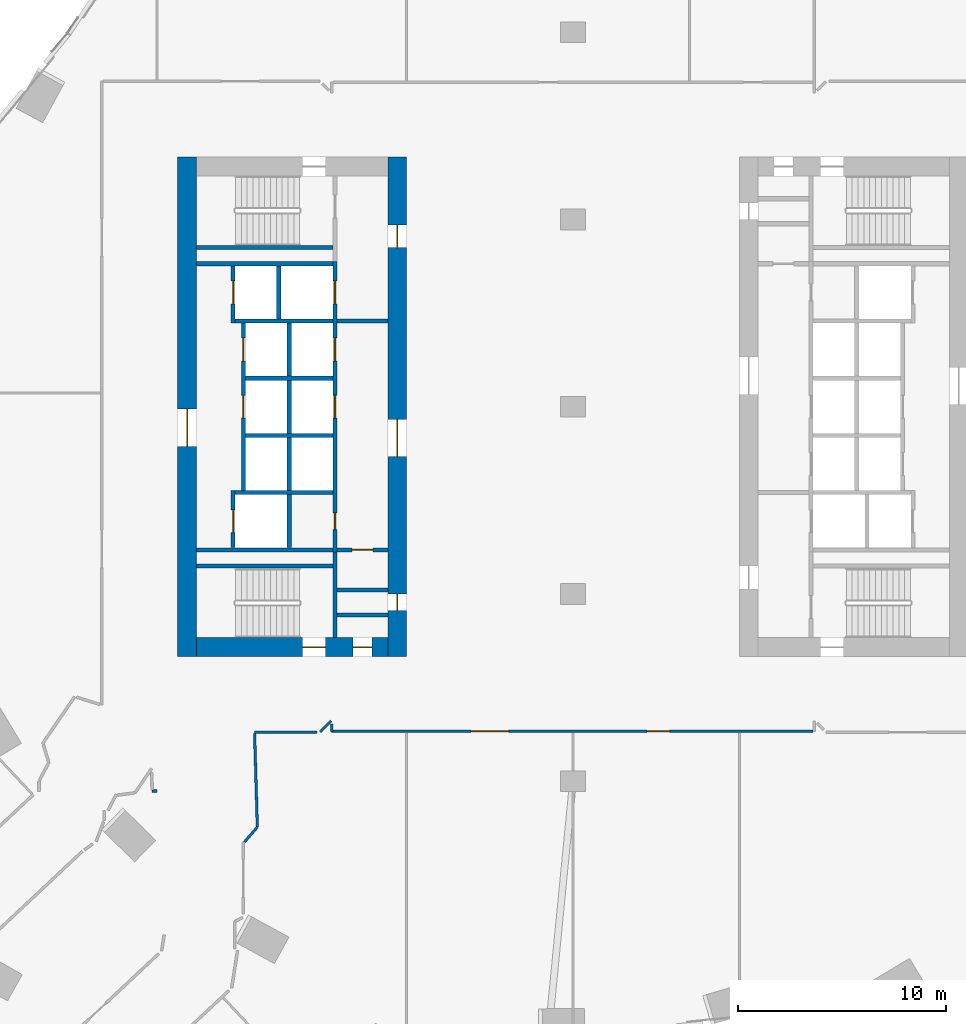
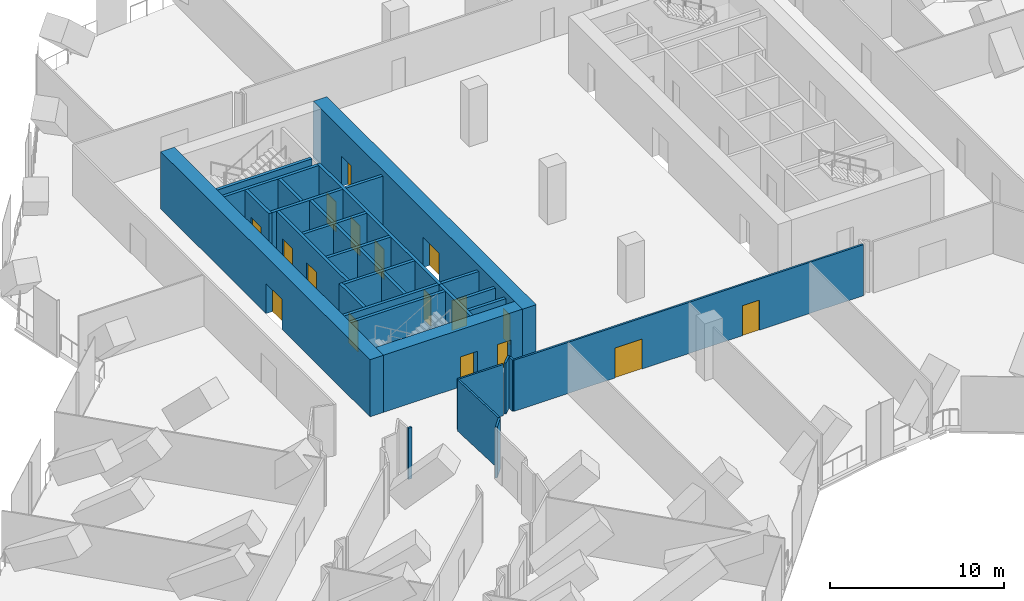
# One storey, part 23 of 31: 32 walls, 17 doors, 17 openings.
"""IFC4 building model written with IfcOpenShell, lengths in metres."""

from ifc_helpers import new_model, si_unit, direction, frame, frame_2d, origin, place, context, subcontext, project, spatial, rectangle, extrude, material, layer, layer_set, type_object, element, fill, save


model = new_model("IFC4")

# Units and contexts
model_context = context("Model", 3, precision=1e-05, world=origin(), true_north=direction((0.0, 1.0)))
body_context = subcontext(model_context, "Body", "Model", "MODEL_VIEW")
ifc_project = project(units=[si_unit("LENGTHUNIT", "METRE"), si_unit("AREAUNIT", "SQUARE_METRE"), si_unit("VOLUMEUNIT", "CUBIC_METRE"), si_unit("PLANEANGLEUNIT", "RADIAN"), si_unit("MASSUNIT", "GRAM", prefix="KILO")], contexts=[model_context])

# Site, building, storey
site_placement = place(None, origin())
site = spatial("IfcSite", under=ifc_project, at=site_placement, CompositionType="ELEMENT")
building_placement = place(site_placement, origin())
building = spatial("IfcBuilding", under=site, at=building_placement, Name="Orlundy Tower", CompositionType="ELEMENT")
storey_placement = place(building_placement, frame((0.0, 0.0, 54.800048828125)))
storey = spatial("IfcBuildingStorey", under=building, at=storey_placement, Name="L12", CompositionType="ELEMENT", Elevation=54.800048828125)

# Wall, openings, doors
ifc_material_1 = material(Name="Concrete C80/95", Category="concrete")
ifc_layer_1 = layer(ifc_material_1, 0.89990234375)
ifc_layer_set_1 = layer_set([ifc_layer_1], Name="CORE WALL 900 C80/95")
wall_type_1 = type_object("IfcWallType", Name="CORE WALL 900 C80/95", PredefinedType="SHEAR", material=ifc_layer_set_1)
wall_1_placement = place(storey_placement, frame((-18.10009765625, -11.550048828125, 0.0), z_axis=(0.0, 0.0, 1.0), x_axis=(1.0, 0.0, 0.0)))
wall_1 = element("IfcWall", 1, at=wall_1_placement, inside=storey, type_object=wall_type_1, Name="Core wall W-S L12", PredefinedType="SHEAR", context=body_context, shape_type="SweptSolid", body=[
    extrude(rectangle(XDim=9.2001953125, YDim=0.89990234375, at=frame_2d((4.60009765625, 0.0))), origin(), (0.0, 0.0, 1.0), 4.0),
])
opening_1_placement = place(wall_1_placement, frame((5.10009765625, 0.0, 0.0)))
opening_1 = element("IfcOpeningElement", 2, at=opening_1_placement, cuts=wall_1, Name="Opening 11013", PredefinedType="OPENING", context=body_context, shape_type="SweptSolid", body=[
    extrude(rectangle(XDim=1.10009765625, YDim=2.10009765625, at=frame_2d((0.550048828125, 1.050048828125))), frame((0.0, 0.4599609375, 0.0), z_axis=(0.0, -1.0, 0.0), x_axis=(1.0, 0.0, 0.0)), (0.0, 0.0, 1.0), 0.919921875),
])
opening_2_placement = place(wall_1_placement, frame((7.530029296875, 0.0, 0.0)))
opening_2 = element("IfcOpeningElement", 3, at=opening_2_placement, cuts=wall_1, Name="Opening 11015", PredefinedType="OPENING", context=body_context, shape_type="SweptSolid", body=[
    extrude(rectangle(XDim=0.89990234375, YDim=2.10009765625, at=frame_2d((0.449951171875, 1.050048828125))), frame((0.0, 0.4599609375, 0.0), z_axis=(0.0, -1.0, 0.0), x_axis=(1.0, 0.0, 0.0)), (0.0, 0.0, 1.0), 0.919921875),
])
ifc_material_2 = material(Name="Timber door set", Category="wood")
door_type_1 = type_object("IfcDoorType", Name="Room Door 900x2100", OperationType="SINGLE_SWING_LEFT", PredefinedType="DOOR", material=ifc_material_2)
door_1_placement = place(opening_2_placement, origin())
door_1 = element("IfcDoor", 4, at=door_1_placement, inside=storey, type_object=door_type_1, Name="Store door 11015", OperationType="SINGLE_SWING_RIGHT", OverallHeight=2.10009765625, OverallWidth=0.89990234375, PredefinedType="DOOR", context=body_context, shape_type="SweptSolid", body=[
    extrude(rectangle(XDim=0.89990234375, YDim=2.10009765625, at=frame_2d((0.449951171875, 1.050048828125))), frame((0.0, 0.02490234375, 0.0), z_axis=(0.0, -1.0, 0.0), x_axis=(1.0, 0.0, 0.0)), (0.0, 0.0, 1.0), 0.050048828125),
])
fill(opening_2, door_1)
ifc_material_3 = material(Name="Steel door set", Category="steel")
door_type_2 = type_object("IfcDoorType", Name="Stair Door 1100x2100", OperationType="SINGLE_SWING_LEFT", PredefinedType="DOOR", material=ifc_material_3)
door_2_placement = place(opening_1_placement, origin())
door_2 = element("IfcDoor", 5, at=door_2_placement, inside=storey, type_object=door_type_2, Name="Stair door 11013", OperationType="SINGLE_SWING_RIGHT", OverallHeight=2.10009765625, OverallWidth=1.10009765625, PredefinedType="DOOR", context=body_context, shape_type="SweptSolid", body=[
    extrude(rectangle(XDim=1.10009765625, YDim=2.10009765625, at=frame_2d((0.550048828125, 1.050048828125))), frame((0.0, 0.02490234375, 0.0), z_axis=(0.0, -1.0, 0.0), x_axis=(1.0, 0.0, 0.0)), (0.0, 0.0, 1.0), 0.050048828125),
])
fill(opening_1, door_2)

# Wall, opening, door
wall_2_placement = place(storey_placement, frame((-18.550048828125, -12.0, 0.0), z_axis=(0.0, 0.0, 1.0), x_axis=(0.0, 1.0, 0.0)))
wall_2 = element("IfcWall", 6, at=wall_2_placement, inside=storey, type_object=wall_type_1, Name="Core wall W-W L12", PredefinedType="SHEAR", context=body_context, shape_type="SweptSolid", body=[
    extrude(rectangle(XDim=24.0, YDim=0.89990234375, at=frame_2d((12.0, 0.0))), origin(), (0.0, 0.0, 1.0), 4.0),
])
opening_3_placement = place(wall_2_placement, frame((10.10009765625, 0.0, 0.0)))
opening_3 = element("IfcOpeningElement", 7, at=opening_3_placement, cuts=wall_2, Name="Opening 11010", PredefinedType="OPENING", context=body_context, shape_type="SweptSolid", body=[
    extrude(rectangle(XDim=1.800048828125, YDim=2.10009765625, at=frame_2d((0.89990234375, 1.050048828125))), frame((0.0, 0.4599609375, 0.0), z_axis=(0.0, -1.0, 0.0), x_axis=(1.0, 0.0, 0.0)), (0.0, 0.0, 1.0), 0.919921875),
])
ifc_material_4 = material(Name="Timber door set", Category="wood")
door_type_3 = type_object("IfcDoorType", Name="Lobby Door 1800x2100", OperationType="DOUBLE_DOOR_DOUBLE_SWING", PredefinedType="DOOR", material=ifc_material_4)
door_3_placement = place(opening_3_placement, origin())
door_3 = element("IfcDoor", 8, at=door_3_placement, inside=storey, type_object=door_type_3, Name="Lift lobby door 11010", OperationType="SINGLE_SWING_LEFT", OverallHeight=2.10009765625, OverallWidth=1.800048828125, PredefinedType="DOOR", context=body_context, shape_type="SweptSolid", body=[
    extrude(rectangle(XDim=1.800048828125, YDim=2.10009765625, at=frame_2d((0.89990234375, 1.050048828125))), frame((0.0, 0.02490234375, 0.0), z_axis=(0.0, -1.0, 0.0), x_axis=(1.0, 0.0, 0.0)), (0.0, 0.0, 1.0), 0.050048828125),
])
fill(opening_3, door_3)

# Wall, openings, doors
wall_3_placement = place(storey_placement, frame((-8.449951171875, -12.0, 0.0), z_axis=(0.0, 0.0, 1.0), x_axis=(0.0, 1.0, 0.0)))
wall_3 = element("IfcWall", 9, at=wall_3_placement, inside=storey, type_object=wall_type_1, Name="Core wall W-E L12", PredefinedType="SHEAR", context=body_context, shape_type="SweptSolid", body=[
    extrude(rectangle(XDim=24.0, YDim=0.89990234375, at=frame_2d((12.0, 0.0))), origin(), (0.0, 0.0, 1.0), 4.0),
])
opening_4_placement = place(wall_3_placement, frame((9.60009765625, 0.0, 0.0)))
opening_4 = element("IfcOpeningElement", 10, at=opening_4_placement, cuts=wall_3, Name="Opening 11009", PredefinedType="OPENING", context=body_context, shape_type="SweptSolid", body=[
    extrude(rectangle(XDim=1.800048828125, YDim=2.10009765625, at=frame_2d((0.89990234375, 1.050048828125))), frame((0.0, 0.4599609375, 0.0), z_axis=(0.0, -1.0, 0.0), x_axis=(1.0, 0.0, 0.0)), (0.0, 0.0, 1.0), 0.919921875),
])
opening_5_placement = place(wall_3_placement, frame((19.64990234375, 0.0, 0.0)))
opening_5 = element("IfcOpeningElement", 11, at=opening_5_placement, cuts=wall_3, Name="Opening 11011", PredefinedType="OPENING", context=body_context, shape_type="SweptSolid", body=[
    extrude(rectangle(XDim=1.10009765625, YDim=2.10009765625, at=frame_2d((0.550048828125, 1.050048828125))), frame((0.0, 0.4599609375, 0.0), z_axis=(0.0, -1.0, 0.0), x_axis=(1.0, 0.0, 0.0)), (0.0, 0.0, 1.0), 0.919921875),
])
opening_6_placement = place(wall_3_placement, frame((2.199951171875, 0.0, 0.0)))
opening_6 = element("IfcOpeningElement", 12, at=opening_6_placement, cuts=wall_3, Name="Opening 11016", PredefinedType="OPENING", context=body_context, shape_type="SweptSolid", body=[
    extrude(rectangle(XDim=0.800048828125, YDim=2.10009765625, at=frame_2d((0.39990234375, 1.050048828125))), frame((0.0, 0.4599609375, 0.0), z_axis=(0.0, -1.0, 0.0), x_axis=(1.0, 0.0, 0.0)), (0.0, 0.0, 1.0), 0.919921875),
])
ifc_material_5 = material(Name="Steel door set", Category="steel")
door_type_4 = type_object("IfcDoorType", Name="Fire-fighting Lobby Door 1100x2100", OperationType="SINGLE_SWING_LEFT", PredefinedType="DOOR", material=ifc_material_5)
door_4_placement = place(opening_5_placement, origin())
door_4 = element("IfcDoor", 13, at=door_4_placement, inside=storey, type_object=door_type_4, Name="Fire-fighting lobby door 11011", OperationType="SINGLE_SWING_RIGHT", OverallHeight=2.10009765625, OverallWidth=1.10009765625, PredefinedType="DOOR", context=body_context, shape_type="SweptSolid", body=[
    extrude(rectangle(XDim=1.10009765625, YDim=2.10009765625, at=frame_2d((0.550048828125, 1.050048828125))), frame((0.0, 0.02490234375, 0.0), z_axis=(0.0, -1.0, 0.0), x_axis=(1.0, 0.0, 0.0)), (0.0, 0.0, 1.0), 0.050048828125),
])
fill(opening_5, door_4)
door_5_placement = place(opening_4_placement, origin())
door_5 = element("IfcDoor", 14, at=door_5_placement, inside=storey, type_object=door_type_3, Name="Lift lobby door 11009", OperationType="SINGLE_SWING_LEFT", OverallHeight=2.10009765625, OverallWidth=1.800048828125, PredefinedType="DOOR", context=body_context, shape_type="SweptSolid", body=[
    extrude(rectangle(XDim=1.800048828125, YDim=2.10009765625, at=frame_2d((0.89990234375, 1.050048828125))), frame((0.0, 0.02490234375, 0.0), z_axis=(0.0, -1.0, 0.0), x_axis=(1.0, 0.0, 0.0)), (0.0, 0.0, 1.0), 0.050048828125),
])
fill(opening_4, door_5)
ifc_material_6 = material(Name="Timber door set", Category="wood")
door_type_5 = type_object("IfcDoorType", Name="Riser Door 800x2100", OperationType="SINGLE_SWING_LEFT", PredefinedType="DOOR", material=ifc_material_6)
door_6_placement = place(opening_6_placement, origin())
door_6 = element("IfcDoor", 15, at=door_6_placement, inside=storey, type_object=door_type_5, Name="Door 11016", OperationType="SINGLE_SWING_LEFT", OverallHeight=2.10009765625, OverallWidth=0.800048828125, PredefinedType="DOOR", context=body_context, shape_type="SweptSolid", body=[
    extrude(rectangle(XDim=0.800048828125, YDim=2.10009765625, at=frame_2d((0.39990234375, 1.050048828125))), frame((0.0, 0.02490234375, 0.0), z_axis=(0.0, -1.0, 0.0), x_axis=(1.0, 0.0, 0.0)), (0.0, 0.0, 1.0), 0.050048828125),
])
fill(opening_6, door_6)

# Walls
ifc_material_7 = material(Name="Gypsum board partition, double layer")
ifc_layer_2 = layer(ifc_material_7, 0.125)
ifc_layer_set_2 = layer_set([ifc_layer_2], Name="Floor partition 125")
wall_type_2 = type_object("IfcWallType", Name="Floor partition 125", PredefinedType="PARTITIONING", material=ifc_layer_set_2)
wall_4_placement = place(storey_placement, frame((-11.60107421875, -15.241943359375, 0.0), z_axis=(0.0, 0.0, 1.0), x_axis=(0.002726642898, -0.999996282702, 0.0)))
element("IfcWall", 16, at=wall_4_placement, inside=storey, type_object=wall_type_2, Name="wall-int-L12-001", PredefinedType="PARTITIONING", context=body_context, shape_type="SweptSolid", body=[
    extrude(rectangle(XDim=0.358154296875, YDim=0.125, at=frame_2d((0.17919921875, 0.0))), origin(), (0.0, 0.0, 1.0), 3.579833984375),
])
wall_5_placement = place(storey_placement, frame((-15.302978515625, -15.712890625, 0.0), z_axis=(0.0, 0.0, 1.0), x_axis=(0.029132320279, -0.999575563885, 0.0)))
element("IfcWall", 17, at=wall_5_placement, inside=storey, type_object=wall_type_2, Name="wall-int-L12-003", PredefinedType="PARTITIONING", context=body_context, shape_type="SweptSolid", body=[
    extrude(rectangle(XDim=4.491943359375, YDim=0.125, at=frame_2d((2.24609375, 0.0))), origin(), (0.0, 0.0, 1.0), 3.579833984375),
])
wall_6_placement = place(storey_placement, frame((-15.304931640625, -15.65087890625, 0.0), z_axis=(0.0, 0.0, 1.0), x_axis=(1.0, 0.0, 0.0)))
element("IfcWall", 18, at=wall_6_placement, inside=storey, type_object=wall_type_2, Name="wall-int-L12-070", PredefinedType="PARTITIONING", context=body_context, shape_type="SweptSolid", body=[
    extrude(rectangle(XDim=2.993896484375, YDim=0.125, at=frame_2d((1.4970703125, 0.0))), origin(), (0.0, 0.0, 1.0), 3.579833984375),
])

# Wall, openings, doors
wall_7_placement = place(storey_placement, frame((11.5390625, -15.60009765625, 0.0), z_axis=(0.0, 0.0, 1.0), x_axis=(-1.0, 0.0, 0.0)))
wall_7 = element("IfcWall", 19, at=wall_7_placement, inside=storey, type_object=wall_type_2, Name="wall-int-L12-072", PredefinedType="PARTITIONING", context=body_context, shape_type="SweptSolid", body=[
    extrude(rectangle(XDim=23.13916015625, YDim=0.125, at=frame_2d((11.569580078125, 0.0))), origin(), (0.0, 0.0, 1.0), 3.579833984375),
])
opening_7_placement = place(wall_7_placement, frame((14.638427734375, 0.0, 0.0)))
opening_7 = element("IfcOpeningElement", 20, at=opening_7_placement, cuts=wall_7, Name="Opening 11119", PredefinedType="OPENING", context=body_context, shape_type="SweptSolid", body=[
    extrude(rectangle(XDim=1.800048828125, YDim=2.10009765625, at=frame_2d((0.89990234375, 1.050048828125))), frame((0.0, 0.072509765625, 0.0), z_axis=(0.0, -1.0, 0.0), x_axis=(1.0, 0.0, 0.0)), (0.0, 0.0, 1.0), 0.14501953125),
])
opening_8_placement = place(wall_7_placement, frame((6.888427734375, 0.0, 0.0)))
opening_8 = element("IfcOpeningElement", 21, at=opening_8_placement, cuts=wall_7, Name="Opening 11120", PredefinedType="OPENING", context=body_context, shape_type="SweptSolid", body=[
    extrude(rectangle(XDim=1.10009765625, YDim=2.10009765625, at=frame_2d((0.550048828125, 1.050048828125))), frame((0.0, 0.072509765625, 0.0), z_axis=(0.0, -1.0, 0.0), x_axis=(1.0, 0.0, 0.0)), (0.0, 0.0, 1.0), 0.14501953125),
])
ifc_material_8 = material(Name="Timber door leaf", Category="wood")
door_type_6 = type_object("IfcDoorType", Name="Floor door double 1800 FD30S", OperationType="NOTDEFINED", PredefinedType="DOOR", material=ifc_material_8)
door_7_placement = place(opening_7_placement, origin())
door_7 = element("IfcDoor", 22, at=door_7_placement, inside=storey, type_object=door_type_6, Name="Door 11119", OperationType="DOUBLE_DOOR_SINGLE_SWING", OverallHeight=2.10009765625, OverallWidth=1.800048828125, PredefinedType="DOOR", context=body_context, shape_type="SweptSolid", body=[
    extrude(rectangle(XDim=1.800048828125, YDim=2.10009765625, at=frame_2d((0.89990234375, 1.050048828125))), frame((0.0, 0.02490234375, 0.0), z_axis=(0.0, -1.0, 0.0), x_axis=(1.0, 0.0, 0.0)), (0.0, 0.0, 1.0), 0.050048828125),
])
fill(opening_7, door_7)
ifc_material_9 = material(Name="Timber door leaf", Category="wood")
door_type_7 = type_object("IfcDoorType", Name="Floor door xwide 1100 FD30S", OperationType="NOTDEFINED", PredefinedType="DOOR", material=ifc_material_9)
door_8_placement = place(opening_8_placement, origin())
door_8 = element("IfcDoor", 23, at=door_8_placement, inside=storey, type_object=door_type_7, Name="Door 11120", OperationType="SINGLE_SWING_LEFT", OverallHeight=2.10009765625, OverallWidth=1.10009765625, PredefinedType="DOOR", context=body_context, shape_type="SweptSolid", body=[
    extrude(rectangle(XDim=1.10009765625, YDim=2.10009765625, at=frame_2d((0.550048828125, 1.050048828125))), frame((0.0, 0.02490234375, 0.0), z_axis=(0.0, -1.0, 0.0), x_axis=(1.0, 0.0, 0.0)), (0.0, 0.0, 1.0), 0.050048828125),
])
fill(opening_8, door_8)

# Walls
wall_8_placement = place(storey_placement, frame((-20.22509765625, -18.470947265625, 0.0), z_axis=(0.0, 0.0, 1.0), x_axis=(0.999661382022, 0.026021554413, 0.0)))
element("IfcWall", 24, at=wall_8_placement, inside=storey, type_object=wall_type_2, Name="wall-int-L12-081", PredefinedType="PARTITIONING", context=body_context, shape_type="SweptSolid", body=[
    extrude(rectangle(XDim=0.22509765625, YDim=0.125, at=frame_2d((0.112548828125, 0.0))), origin(), (0.0, 0.0, 1.0), 3.579833984375),
])
wall_9_placement = place(storey_placement, frame((-15.7890625, -20.9189453125, 0.0), z_axis=(0.0, 0.0, 1.0), x_axis=(0.652724991611, 0.757594934861, 0.0)))
element("IfcWall", 25, at=wall_9_placement, inside=storey, type_object=wall_type_2, Name="wall-int-L12-082", PredefinedType="PARTITIONING", context=body_context, shape_type="SweptSolid", body=[
    extrude(rectangle(XDim=0.945068359375, YDim=0.125, at=frame_2d((0.47265625, 0.0))), origin(), (0.0, 0.0, 1.0), 3.579833984375),
])
wall_10_placement = place(storey_placement, frame((-12.153076171875, -15.631103515625, 0.0), z_axis=(0.0, 0.0, 1.0), x_axis=(0.707106781187, 0.707106781187, 0.0)))
element("IfcWall", 26, at=wall_10_placement, inside=storey, type_object=wall_type_2, Name="wall-int-L12-112", PredefinedType="PARTITIONING", context=body_context, shape_type="SweptSolid", body=[
    extrude(rectangle(XDim=0.7509765625, YDim=0.125, at=frame_2d((0.37548828125, 0.0))), origin(), (0.0, 0.0, 1.0), 3.579833984375),
])
ifc_material_10 = material(Name="Concrete C40/50", Category="concrete")
ifc_layer_3 = layer(ifc_material_10, 0.199951171875)
ifc_layer_set_3 = layer_set([ifc_layer_3], Name="Load-bearing Shaft Wall 200")
wall_type_3 = type_object("IfcWallType", Name="Load-bearing Shaft Wall 200", PredefinedType="SOLIDWALL", material=ifc_layer_set_3)
wall_11_placement = place(storey_placement, frame((-11.5400390625, 7.64990234375, 0.0), z_axis=(0.0, 0.0, 1.0), x_axis=(-1.0, 0.0, 0.0)))
element("IfcWall", 27, at=wall_11_placement, inside=storey, type_object=wall_type_3, Name="Shaft wall W11-stair-side-n", PredefinedType="SOLIDWALL", context=body_context, shape_type="SweptSolid", body=[
    extrude(rectangle(XDim=6.56005859375, YDim=0.199951171875, at=frame_2d((3.280029296875, 0.0))), origin(), (0.0, 0.0, 1.0), 3.58984375),
])
wall_12_placement = place(storey_placement, frame((-11.43994140625, -11.10009765625, 0.0), z_axis=(0.0, 0.0, 1.0), x_axis=(0.0, 1.0, 0.0)))
element("IfcWall", 28, at=wall_12_placement, inside=storey, type_object=wall_type_3, Name="Shaft wall W11-stair-end-s", PredefinedType="SOLIDWALL", context=body_context, shape_type="SweptSolid", body=[
    extrude(rectangle(XDim=4.125, YDim=0.199951171875, at=frame_2d((2.0625, 0.0))), origin(), (0.0, 0.0, 1.0), 3.58984375),
])
wall_13_placement = place(storey_placement, frame((-11.5400390625, -7.64990234375, 0.0), z_axis=(0.0, 0.0, 1.0), x_axis=(-1.0, 0.0, 0.0)))
element("IfcWall", 29, at=wall_13_placement, inside=storey, type_object=wall_type_3, Name="Shaft wall W11-stair-side-s", PredefinedType="SOLIDWALL", context=body_context, shape_type="SweptSolid", body=[
    extrude(rectangle(XDim=6.56005859375, YDim=0.199951171875, at=frame_2d((3.280029296875, 0.0))), origin(), (0.0, 0.0, 1.0), 3.58984375),
])
ifc_material_11 = material(Name="Gypsum board partition on steel studs", Category="steel")
ifc_layer_4 = layer(ifc_material_11, 0.199951171875)
ifc_layer_set_4 = layer_set([ifc_layer_4], Name="Partition 200")
wall_type_4 = type_object("IfcWallType", Name="Partition 200", PredefinedType="PARTITIONING", material=ifc_layer_set_4)
wall_14_placement = place(storey_placement, frame((-8.89990234375, 4.125, 0.0), z_axis=(0.0, 0.0, 1.0), x_axis=(-1.0, 0.0, 0.0)))
element("IfcWall", 30, at=wall_14_placement, inside=storey, type_object=wall_type_4, Name="Partition wall W11-lobby-n", PredefinedType="PARTITIONING", context=body_context, shape_type="SweptSolid", body=[
    extrude(rectangle(XDim=2.440185546875, YDim=0.199951171875, at=frame_2d((1.22021484375, 0.0))), origin(), (0.0, 0.0, 1.0), 3.58984375),
])

# Wall, opening, door
wall_15_placement = place(storey_placement, frame((-8.89990234375, -6.875, 0.0), z_axis=(0.0, 0.0, 1.0), x_axis=(-1.0, 0.0, 0.0)))
wall_15 = element("IfcWall", 31, at=wall_15_placement, inside=storey, type_object=wall_type_4, Name="Partition wall W11-end-s", PredefinedType="PARTITIONING", context=body_context, shape_type="SweptSolid", body=[
    extrude(rectangle(XDim=2.440185546875, YDim=0.199951171875, at=frame_2d((1.22021484375, 0.0))), origin(), (0.0, 0.0, 1.0), 3.58984375),
])
opening_9_placement = place(wall_15_placement, frame((0.719970703125, 0.0, 0.0)))
opening_9 = element("IfcOpeningElement", 32, at=opening_9_placement, cuts=wall_15, Name="Opening 11017", PredefinedType="OPENING", context=body_context, shape_type="SweptSolid", body=[
    extrude(rectangle(XDim=1.0, YDim=2.10009765625, at=frame_2d((0.5, 1.050048828125))), frame((0.0, 0.110107421875, 0.0), z_axis=(0.0, -1.0, 0.0), x_axis=(1.0, 0.0, 0.0)), (0.0, 0.0, 1.0), 0.22021484375),
])
ifc_material_12 = material(Name="Timber door set", Category="wood")
door_type_8 = type_object("IfcDoorType", Name="Accessible Door 1000x2100", OperationType="SINGLE_SWING_LEFT", PredefinedType="DOOR", material=ifc_material_12)
door_9_placement = place(opening_9_placement, origin())
door_9 = element("IfcDoor", 33, at=door_9_placement, inside=storey, type_object=door_type_8, Name="Accessible WC door 11017", OperationType="SINGLE_SWING_RIGHT", OverallHeight=2.10009765625, OverallWidth=1.0, PredefinedType="DOOR", context=body_context, shape_type="SweptSolid", body=[
    extrude(rectangle(XDim=1.0, YDim=2.10009765625, at=frame_2d((0.5, 1.050048828125))), frame((0.0, 0.02490234375, 0.0), z_axis=(0.0, -1.0, 0.0), x_axis=(1.0, 0.0, 0.0)), (0.0, 0.0, 1.0), 0.050048828125),
])
fill(opening_9, door_9)

# Walls
for number, where, z_axis, x_axis, name in (
    (34, (-8.89990234375, -10.0, 0.0), (0.0, 0.0, 1.0), (-1.0, 0.0, 0.0), "Partition wall W11-room-s0"),
    (35, (-8.89990234375, -8.800048828125, 0.0), (0.0, 0.0, 1.0), (-1.0, 0.0, 0.0), "Partition wall W11-room-s1"),
):
    element("IfcWall", number, at=place(storey_placement, frame(where, z_axis=z_axis, x_axis=x_axis)), inside=storey, type_object=wall_type_4, Name=name, PredefinedType="PARTITIONING", context=body_context, shape_type="SweptSolid", body=[
        extrude(rectangle(XDim=2.440185546875, YDim=0.199951171875, at=frame_2d((1.22021484375, 0.0))), origin(), (0.0, 0.0, 1.0), 3.58984375),
    ])
ifc_material_13 = material(Name="Fire-rated blockwork shaft wall", Category="masonry")
ifc_layer_5 = layer(ifc_material_13, 0.199951171875)
ifc_layer_set_5 = layer_set([ifc_layer_5], Name="Shaft Wall 200")
wall_type_5 = type_object("IfcWallType", Name="Shaft Wall 200", PredefinedType="SOLIDWALL", material=ifc_layer_set_5)
for number, where, z_axis, x_axis, name in (
    (36, (-11.5400390625, 6.875, 0.0), (0.0, 0.0, 1.0), (-1.0, 0.0, 0.0), "Shaft wall W11-zone-n"),
    (37, (-11.5400390625, -6.875, 0.0), (0.0, 0.0, 1.0), (-1.0, 0.0, 0.0), "Shaft wall W11-zone-s"),
):
    element("IfcWall", number, at=place(storey_placement, frame(where, z_axis=z_axis, x_axis=x_axis)), inside=storey, type_object=wall_type_5, Name=name, PredefinedType="SOLIDWALL", context=body_context, shape_type="SweptSolid", body=[
        extrude(rectangle(XDim=6.56005859375, YDim=0.199951171875, at=frame_2d((3.280029296875, 0.0))), origin(), (0.0, 0.0, 1.0), 3.58984375),
    ])
wall_16_placement = place(storey_placement, frame((-11.5400390625, -4.125, 0.0), z_axis=(0.0, 0.0, 1.0), x_axis=(-1.0, 0.0, 0.0)))
element("IfcWall", 38, at=wall_16_placement, inside=storey, type_object=wall_type_5, Name="Shaft wall W11-cross-4.125", PredefinedType="SOLIDWALL", context=body_context, shape_type="SweptSolid", body=[
    extrude(rectangle(XDim=4.699951171875, YDim=0.199951171875, at=frame_2d((2.35009765625, 0.0))), origin(), (0.0, 0.0, 1.0), 3.58984375),
])
for number, where, z_axis, x_axis, name in (
    (39, (-11.5400390625, -1.375, 0.0), (0.0, 0.0, 1.0), (-1.0, 0.0, 0.0), "Shaft wall W11-cross-1.375"),
    (40, (-11.5400390625, 1.375, 0.0), (0.0, 0.0, 1.0), (-1.0, 0.0, 0.0), "Shaft wall W11-cross+1.375"),
):
    element("IfcWall", number, at=place(storey_placement, frame(where, z_axis=z_axis, x_axis=x_axis)), inside=storey, type_object=wall_type_5, Name=name, PredefinedType="SOLIDWALL", context=body_context, shape_type="SweptSolid", body=[
        extrude(rectangle(XDim=4.199951171875, YDim=0.199951171875, at=frame_2d((2.10009765625, 0.0))), origin(), (0.0, 0.0, 1.0), 3.58984375),
    ])
wall_17_placement = place(storey_placement, frame((-11.5400390625, 4.125, 0.0), z_axis=(0.0, 0.0, 1.0), x_axis=(-1.0, 0.0, 0.0)))
element("IfcWall", 41, at=wall_17_placement, inside=storey, type_object=wall_type_5, Name="Shaft wall W11-cross+4.125", PredefinedType="SOLIDWALL", context=body_context, shape_type="SweptSolid", body=[
    extrude(rectangle(XDim=4.699951171875, YDim=0.199951171875, at=frame_2d((2.35009765625, 0.0))), origin(), (0.0, 0.0, 1.0), 3.58984375),
])

# Wall, openings, doors
wall_18_placement = place(storey_placement, frame((-11.43994140625, -6.97509765625, 0.0), z_axis=(0.0, 0.0, 1.0), x_axis=(0.0, 1.0, 0.0)))
wall_18 = element("IfcWall", 42, at=wall_18_placement, inside=storey, type_object=wall_type_5, Name="Shaft wall W11-front-h", PredefinedType="SOLIDWALL", context=body_context, shape_type="SweptSolid", body=[
    extrude(rectangle(XDim=13.9501953125, YDim=0.199951171875, at=frame_2d((6.97509765625, 0.0))), origin(), (0.0, 0.0, 1.0), 3.58984375),
])
opening_10_placement = place(wall_18_placement, frame((6.425048828125, 0.0, 0.0)))
opening_10 = element("IfcOpeningElement", 43, at=opening_10_placement, cuts=wall_18, Name="Opening 11002", PredefinedType="OPENING", context=body_context, shape_type="SweptSolid", body=[
    extrude(rectangle(XDim=1.10009765625, YDim=2.10009765625, at=frame_2d((0.550048828125, 1.050048828125))), frame((0.0, 0.110107421875, 0.0), z_axis=(0.0, -1.0, 0.0), x_axis=(1.0, 0.0, 0.0)), (0.0, 0.0, 1.0), 0.22021484375),
])
opening_11_placement = place(wall_18_placement, frame((9.175048828125, 0.0, 0.0)))
opening_11 = element("IfcOpeningElement", 44, at=opening_11_placement, cuts=wall_18, Name="Opening 11004", PredefinedType="OPENING", context=body_context, shape_type="SweptSolid", body=[
    extrude(rectangle(XDim=1.10009765625, YDim=2.10009765625, at=frame_2d((0.550048828125, 1.050048828125))), frame((0.0, 0.110107421875, 0.0), z_axis=(0.0, -1.0, 0.0), x_axis=(1.0, 0.0, 0.0)), (0.0, 0.0, 1.0), 0.22021484375),
])
opening_12_placement = place(wall_18_placement, frame((11.925048828125, 0.0, 0.0)))
opening_12 = element("IfcOpeningElement", 45, at=opening_12_placement, cuts=wall_18, Name="Opening 11006", PredefinedType="OPENING", context=body_context, shape_type="SweptSolid", body=[
    extrude(rectangle(XDim=1.10009765625, YDim=2.10009765625, at=frame_2d((0.550048828125, 1.050048828125))), frame((0.0, 0.110107421875, 0.0), z_axis=(0.0, -1.0, 0.0), x_axis=(1.0, 0.0, 0.0)), (0.0, 0.0, 1.0), 0.22021484375),
])
opening_13_placement = place(wall_18_placement, frame((1.074951171875, 0.0, 0.0)))
opening_13 = element("IfcOpeningElement", 46, at=opening_13_placement, cuts=wall_18, Name="Opening 11008", PredefinedType="OPENING", context=body_context, shape_type="SweptSolid", body=[
    extrude(rectangle(XDim=0.800048828125, YDim=2.10009765625, at=frame_2d((0.39990234375, 1.050048828125))), frame((0.0, 0.110107421875, 0.0), z_axis=(0.0, -1.0, 0.0), x_axis=(1.0, 0.0, 0.0)), (0.0, 0.0, 1.0), 0.22021484375),
])
ifc_material_14 = material(Name="Steel door set", Category="steel")
door_type_9 = type_object("IfcDoorType", Name="Landing Door 1100x2100", OperationType="DOUBLE_DOOR_SLIDING", PredefinedType="DOOR", material=ifc_material_14)
door_10_placement = place(opening_10_placement, origin())
door_10 = element("IfcDoor", 47, at=door_10_placement, inside=storey, type_object=door_type_9, Name="Lift landing door LP-05 11002", OperationType="DOUBLE_DOOR_SLIDING", OverallHeight=2.10009765625, OverallWidth=1.10009765625, PredefinedType="DOOR", context=body_context, shape_type="SweptSolid", body=[
    extrude(rectangle(XDim=1.10009765625, YDim=2.10009765625, at=frame_2d((0.550048828125, 1.050048828125))), frame((0.0, 0.02490234375, 0.0), z_axis=(0.0, -1.0, 0.0), x_axis=(1.0, 0.0, 0.0)), (0.0, 0.0, 1.0), 0.050048828125),
])
fill(opening_10, door_10)
door_11_placement = place(opening_11_placement, origin())
door_11 = element("IfcDoor", 48, at=door_11_placement, inside=storey, type_object=door_type_9, Name="Lift landing door LP-02 11004", OperationType="DOUBLE_DOOR_SLIDING", OverallHeight=2.10009765625, OverallWidth=1.10009765625, PredefinedType="DOOR", context=body_context, shape_type="SweptSolid", body=[
    extrude(rectangle(XDim=1.10009765625, YDim=2.10009765625, at=frame_2d((0.550048828125, 1.050048828125))), frame((0.0, 0.02490234375, 0.0), z_axis=(0.0, -1.0, 0.0), x_axis=(1.0, 0.0, 0.0)), (0.0, 0.0, 1.0), 0.050048828125),
])
fill(opening_11, door_11)
door_12_placement = place(opening_12_placement, origin())
door_12 = element("IfcDoor", 49, at=door_12_placement, inside=storey, type_object=door_type_9, Name="Lift landing door FL1 11006", OperationType="DOUBLE_DOOR_SLIDING", OverallHeight=2.10009765625, OverallWidth=1.10009765625, PredefinedType="DOOR", context=body_context, shape_type="SweptSolid", body=[
    extrude(rectangle(XDim=1.10009765625, YDim=2.10009765625, at=frame_2d((0.550048828125, 1.050048828125))), frame((0.0, 0.02490234375, 0.0), z_axis=(0.0, -1.0, 0.0), x_axis=(1.0, 0.0, 0.0)), (0.0, 0.0, 1.0), 0.050048828125),
])
fill(opening_12, door_12)
door_13_placement = place(opening_13_placement, origin())
door_13 = element("IfcDoor", 50, at=door_13_placement, inside=storey, type_object=door_type_5, Name="Telecom Room door 11008", OperationType="SINGLE_SWING_LEFT", OverallHeight=2.10009765625, OverallWidth=0.800048828125, PredefinedType="DOOR", context=body_context, shape_type="SweptSolid", body=[
    extrude(rectangle(XDim=0.800048828125, YDim=2.10009765625, at=frame_2d((0.39990234375, 1.050048828125))), frame((0.0, 0.02490234375, 0.0), z_axis=(0.0, -1.0, 0.0), x_axis=(1.0, 0.0, 0.0)), (0.0, 0.0, 1.0), 0.050048828125),
])
fill(opening_13, door_13)

# Walls
for number, where, z_axis, x_axis, name in (
    (51, (-13.639892578125, -6.77490234375, 0.0), (0.0, 0.0, 1.0), (0.0, 1.0, 0.0), "Shaft wall W11-mid-a"),
    (52, (-13.639892578125, -4.02490234375, 0.0), (0.0, 0.0, 1.0), (0.0, 1.0, 0.0), "Shaft wall W11-mid-a.1"),
    (53, (-13.639892578125, -1.27490234375, 0.0), (0.0, 0.0, 1.0), (0.0, 1.0, 0.0), "Shaft wall W11-mid-a.2"),
    (54, (-13.639892578125, 1.47509765625, 0.0), (0.0, 0.0, 1.0), (0.0, 1.0, 0.0), "Shaft wall W11-mid-a.3"),
    (55, (-14.139892578125, 4.22509765625, 0.0), (0.0, 0.0, 1.0), (0.0, 1.0, 0.0), "Shaft wall W11-mid-b"),
):
    element("IfcWall", number, at=place(storey_placement, frame(where, z_axis=z_axis, x_axis=x_axis)), inside=storey, type_object=wall_type_5, Name=name, PredefinedType="SOLIDWALL", context=body_context, shape_type="SweptSolid", body=[
        extrude(rectangle(XDim=2.5498046875, YDim=0.199951171875, at=frame_2d((1.27490234375, 0.0))), origin(), (0.0, 0.0, 1.0), 3.58984375),
    ])

# Wall, opening, door
wall_19_placement = place(storey_placement, frame((-16.340087890625, -6.77490234375, 0.0), z_axis=(0.0, 0.0, 1.0), x_axis=(0.0, 1.0, 0.0)))
wall_19 = element("IfcWall", 56, at=wall_19_placement, inside=storey, type_object=wall_type_5, Name="Shaft wall W11-front-o-a", PredefinedType="SOLIDWALL", context=body_context, shape_type="SweptSolid", body=[
    extrude(rectangle(XDim=2.75, YDim=0.199951171875, at=frame_2d((1.375, 0.0))), origin(), (0.0, 0.0, 1.0), 3.58984375),
])
opening_14_placement = place(wall_19_placement, frame((0.72509765625, 0.0, 0.0)))
opening_14 = element("IfcOpeningElement", 57, at=opening_14_placement, cuts=wall_19, Name="Opening 11001", PredefinedType="OPENING", context=body_context, shape_type="SweptSolid", body=[
    extrude(rectangle(XDim=1.10009765625, YDim=2.10009765625, at=frame_2d((0.550048828125, 1.050048828125))), frame((0.0, 0.110107421875, 0.0), z_axis=(0.0, -1.0, 0.0), x_axis=(1.0, 0.0, 0.0)), (0.0, 0.0, 1.0), 0.22021484375),
])
door_14_placement = place(opening_14_placement, origin())
door_14 = element("IfcDoor", 58, at=door_14_placement, inside=storey, type_object=door_type_9, Name="Lift landing door LV-01 11001", OperationType="DOUBLE_DOOR_SLIDING", OverallHeight=2.10009765625, OverallWidth=1.10009765625, PredefinedType="DOOR", context=body_context, shape_type="SweptSolid", body=[
    extrude(rectangle(XDim=1.10009765625, YDim=2.10009765625, at=frame_2d((0.550048828125, 1.050048828125))), frame((0.0, 0.02490234375, 0.0), z_axis=(0.0, -1.0, 0.0), x_axis=(1.0, 0.0, 0.0)), (0.0, 0.0, 1.0), 0.050048828125),
])
fill(opening_14, door_14)

# Wall, openings, doors
wall_20_placement = place(storey_placement, frame((-15.840087890625, -4.02490234375, 0.0), z_axis=(0.0, 0.0, 1.0), x_axis=(0.0, 1.0, 0.0)))
wall_20 = element("IfcWall", 59, at=wall_20_placement, inside=storey, type_object=wall_type_5, Name="Shaft wall W11-front-o-b", PredefinedType="SOLIDWALL", context=body_context, shape_type="SweptSolid", body=[
    extrude(rectangle(XDim=8.0498046875, YDim=0.199951171875, at=frame_2d((4.02490234375, 0.0))), origin(), (0.0, 0.0, 1.0), 3.58984375),
])
opening_15_placement = place(wall_20_placement, frame((3.47509765625, 0.0, 0.0)))
opening_15 = element("IfcOpeningElement", 60, at=opening_15_placement, cuts=wall_20, Name="Opening 11003", PredefinedType="OPENING", context=body_context, shape_type="SweptSolid", body=[
    extrude(rectangle(XDim=1.10009765625, YDim=2.10009765625, at=frame_2d((0.550048828125, 1.050048828125))), frame((0.0, 0.110107421875, 0.0), z_axis=(0.0, -1.0, 0.0), x_axis=(1.0, 0.0, 0.0)), (0.0, 0.0, 1.0), 0.22021484375),
])
opening_16_placement = place(wall_20_placement, frame((6.22509765625, 0.0, 0.0)))
opening_16 = element("IfcOpeningElement", 61, at=opening_16_placement, cuts=wall_20, Name="Opening 11005", PredefinedType="OPENING", context=body_context, shape_type="SweptSolid", body=[
    extrude(rectangle(XDim=1.10009765625, YDim=2.10009765625, at=frame_2d((0.550048828125, 1.050048828125))), frame((0.0, 0.110107421875, 0.0), z_axis=(0.0, -1.0, 0.0), x_axis=(1.0, 0.0, 0.0)), (0.0, 0.0, 1.0), 0.22021484375),
])
door_15_placement = place(opening_15_placement, origin())
door_15 = element("IfcDoor", 62, at=door_15_placement, inside=storey, type_object=door_type_9, Name="Lift landing door LP-01 11003", OperationType="DOUBLE_DOOR_SLIDING", OverallHeight=2.10009765625, OverallWidth=1.10009765625, PredefinedType="DOOR", context=body_context, shape_type="SweptSolid", body=[
    extrude(rectangle(XDim=1.10009765625, YDim=2.10009765625, at=frame_2d((0.550048828125, 1.050048828125))), frame((0.0, 0.02490234375, 0.0), z_axis=(0.0, -1.0, 0.0), x_axis=(1.0, 0.0, 0.0)), (0.0, 0.0, 1.0), 0.050048828125),
])
fill(opening_15, door_15)
door_16_placement = place(opening_16_placement, origin())
door_16 = element("IfcDoor", 63, at=door_16_placement, inside=storey, type_object=door_type_9, Name="Lift landing door LP-03 11005", OperationType="DOUBLE_DOOR_SLIDING", OverallHeight=2.10009765625, OverallWidth=1.10009765625, PredefinedType="DOOR", context=body_context, shape_type="SweptSolid", body=[
    extrude(rectangle(XDim=1.10009765625, YDim=2.10009765625, at=frame_2d((0.550048828125, 1.050048828125))), frame((0.0, 0.02490234375, 0.0), z_axis=(0.0, -1.0, 0.0), x_axis=(1.0, 0.0, 0.0)), (0.0, 0.0, 1.0), 0.050048828125),
])
fill(opening_16, door_16)

# Wall, opening, door
wall_21_placement = place(storey_placement, frame((-16.340087890625, 4.02490234375, 0.0), z_axis=(0.0, 0.0, 1.0), x_axis=(0.0, 1.0, 0.0)))
wall_21 = element("IfcWall", 64, at=wall_21_placement, inside=storey, type_object=wall_type_5, Name="Shaft wall W11-front-o-c", PredefinedType="SOLIDWALL", context=body_context, shape_type="SweptSolid", body=[
    extrude(rectangle(XDim=2.75, YDim=0.199951171875, at=frame_2d((1.375, 0.0))), origin(), (0.0, 0.0, 1.0), 3.58984375),
])
opening_17_placement = place(wall_21_placement, frame((0.925048828125, 0.0, 0.0)))
opening_17 = element("IfcOpeningElement", 65, at=opening_17_placement, cuts=wall_21, Name="Opening 11007", PredefinedType="OPENING", context=body_context, shape_type="SweptSolid", body=[
    extrude(rectangle(XDim=1.10009765625, YDim=2.10009765625, at=frame_2d((0.550048828125, 1.050048828125))), frame((0.0, 0.110107421875, 0.0), z_axis=(0.0, -1.0, 0.0), x_axis=(1.0, 0.0, 0.0)), (0.0, 0.0, 1.0), 0.22021484375),
])
door_17_placement = place(opening_17_placement, origin())
door_17 = element("IfcDoor", 66, at=door_17_placement, inside=storey, type_object=door_type_9, Name="Lift landing door LP-04 11007", OperationType="DOUBLE_DOOR_SLIDING", OverallHeight=2.10009765625, OverallWidth=1.10009765625, PredefinedType="DOOR", context=body_context, shape_type="SweptSolid", body=[
    extrude(rectangle(XDim=1.10009765625, YDim=2.10009765625, at=frame_2d((0.550048828125, 1.050048828125))), frame((0.0, 0.02490234375, 0.0), z_axis=(0.0, -1.0, 0.0), x_axis=(1.0, 0.0, 0.0)), (0.0, 0.0, 1.0), 0.050048828125),
])
fill(opening_17, door_17)

save(model, "model.ifc")
